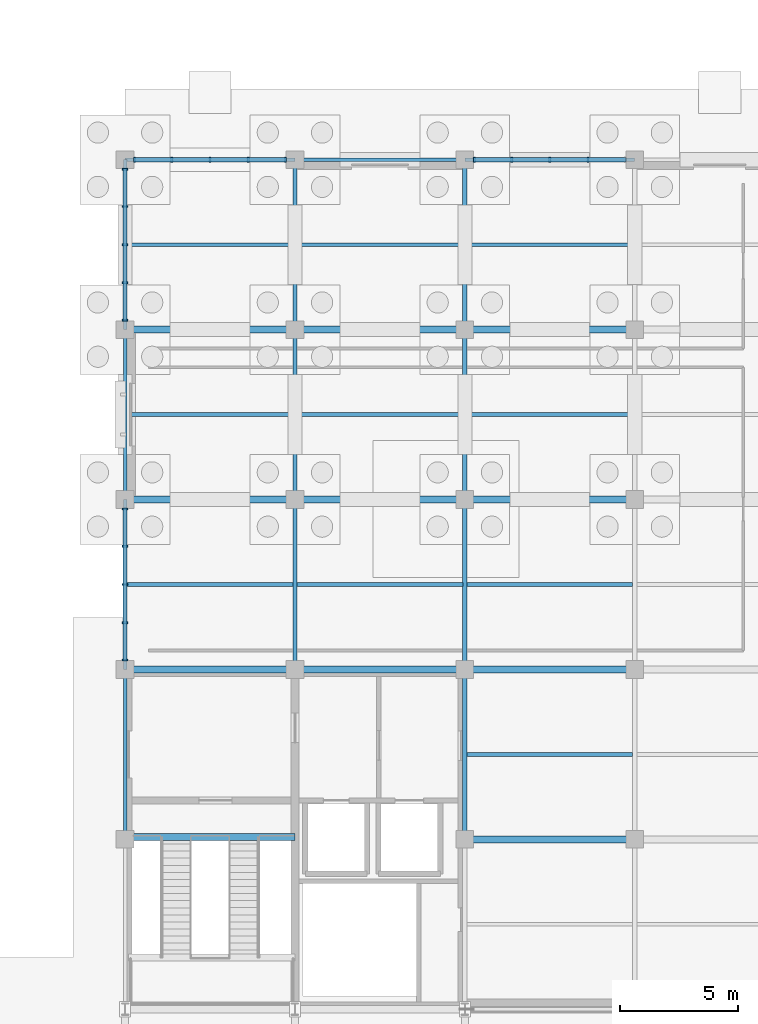
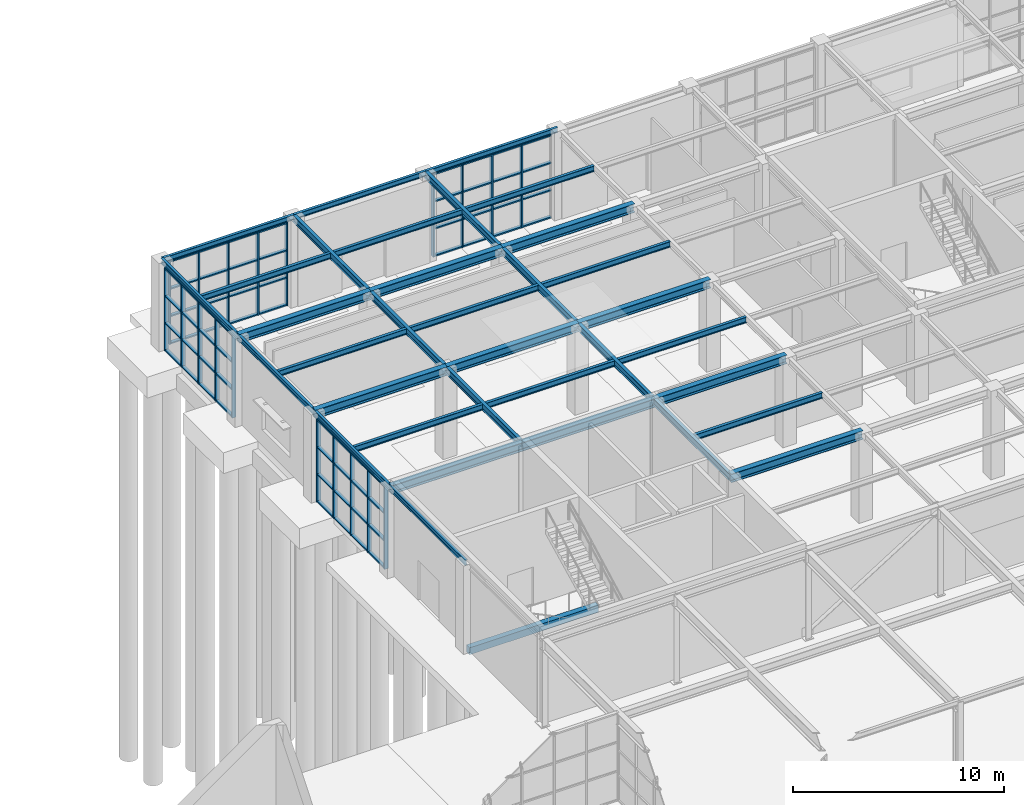
# One storey, part 34 of 75: 35 beams, 35 members, 4 elements without a shape of their own.
"""IFC4 building model written with IfcOpenShell, lengths in metres."""

from ifc_helpers import new_model, si_unit, direction, frame, origin, origin_2d, place, context, subcontext, project, spatial, rectangle, i_section, extrude, material, material_profile, profile_set, type_object, element, aggregate, save


model = new_model("IFC4")

# Units and contexts
model_context = context("Model", 3, precision=1e-05, world=origin(), true_north=direction((0.0, 1.0)))
body_context = subcontext(model_context, "Body", "Model", "MODEL_VIEW")
ifc_project = project(units=[si_unit("LENGTHUNIT", "METRE"), si_unit("AREAUNIT", "SQUARE_METRE"), si_unit("VOLUMEUNIT", "CUBIC_METRE"), si_unit("PLANEANGLEUNIT", "RADIAN"), si_unit("MASSUNIT", "GRAM", prefix="KILO")], contexts=[model_context])

# Site, building, storey
site_placement = place(None, origin())
site = spatial("IfcSite", under=ifc_project, at=site_placement, CompositionType="ELEMENT")
building_placement = place(site_placement, origin())
building = spatial("IfcBuilding", under=site, at=building_placement, Name="Leyfeld Transit Interchange", CompositionType="ELEMENT")
storey_placement = place(building_placement, origin())
storey = spatial("IfcBuildingStorey", under=building, at=storey_placement, Name="L00", CompositionType="ELEMENT", Elevation=0.0)

# Beams
ifc_material_1 = material(Name="Concrete C35/45", Category="concrete")
ifc_material_profile_1 = material_profile(ifc_material_1, rectangle(XDim=0.300048828125, YDim=0.39990234375, at=origin_2d()), Name="RC 400x300")
ifc_profile_set_1 = profile_set([ifc_material_profile_1], Name="Concrete C35/45")
beam_type_1 = type_object("IfcBeamType", Name="BM-RC-400x300", PredefinedType="LINTEL", material=ifc_profile_set_1)
beam_1_placement = place(storey_placement, frame((136.949951171875, 64.89990234375, -0.199951171875), z_axis=(1.0, 0.0, 0.0), x_axis=(0.0, 1.0, 0.0)))
element("IfcBeam", 1, at=beam_1_placement, inside=storey, type_object=beam_type_1, Name="Core K4 Floor Landing Corbel L00", PredefinedType="LINTEL", context=body_context, shape_type="SweptSolid", body=[
    extrude(rectangle(XDim=0.300048828125, YDim=0.39990234375, at=origin_2d()), origin(), (0.0, 0.0, 1.0), 7.050048828125),
])
ifc_material_2 = material(Name="Steel S355J2", Category="steel")
ifc_material_profile_2 = material_profile(ifc_material_2, i_section(OverallWidth=0.300048828125, OverallDepth=0.5, WebThickness=0.014404296875, FlangeThickness=0.028076171875, FilletRadius=0.027099609375, at=origin_2d()), Name="HEB 500")
ifc_profile_set_2 = profile_set([ifc_material_profile_2], Name="Steel S355J2")
beam_type_2 = type_object("IfcBeamType", Name="BM-STL-HEB500", PredefinedType="JOIST", material=ifc_profile_set_2)
for number, where, z_axis, x_axis, name in (
    (2, (151.199951171875, 64.800048828125, 4.85009765625), (1.0, 0.0, 0.0), (0.0, 1.0, 0.0), "Beam BM-L00-1512_0648-1584_0648"),
    (3, (136.800048828125, 72.0, 4.85009765625), (1.0, 0.0, 0.0), (0.0, 1.0, 0.0), "Beam BM-L00-1368_0720-1440_0720"),
    (4, (144.0, 72.0, 4.85009765625), (1.0, 0.0, 0.0), (0.0, 1.0, 0.0), "Beam BM-L00-1440_0720-1512_0720"),
    (5, (151.199951171875, 72.0, 4.85009765625), (1.0, 0.0, 0.0), (0.0, 1.0, 0.0), "Beam BM-L00-1512_0720-1584_0720"),
    (6, (136.800048828125, 79.199951171875, 4.85009765625), (1.0, 0.0, 0.0), (0.0, 1.0, 0.0), "Beam BM-L00-1368_0792-1440_0792"),
    (7, (144.0, 79.199951171875, 4.85009765625), (1.0, 0.0, 0.0), (0.0, 1.0, 0.0), "Beam BM-L00-1440_0792-1512_0792"),
    (8, (151.199951171875, 79.199951171875, 4.85009765625), (1.0, 0.0, 0.0), (0.0, 1.0, 0.0), "Beam BM-L00-1512_0792-1584_0792"),
    (9, (136.800048828125, 86.39990234375, 4.85009765625), (1.0, 0.0, 0.0), (0.0, 1.0, 0.0), "Beam BM-L00-1368_0864-1440_0864"),
    (10, (144.0, 86.39990234375, 4.85009765625), (1.0, 0.0, 0.0), (0.0, 1.0, 0.0), "Beam BM-L00-1440_0864-1512_0864"),
    (11, (151.199951171875, 86.39990234375, 4.85009765625), (1.0, 0.0, 0.0), (0.0, 1.0, 0.0), "Beam BM-L00-1512_0864-1584_0864"),
):
    element("IfcBeam", number, at=place(storey_placement, frame(where, z_axis=z_axis, x_axis=x_axis)), inside=storey, type_object=beam_type_2, Name=name, PredefinedType="JOIST", context=body_context, shape_type="SweptSolid", body=[
        extrude(i_section(OverallWidth=0.300048828125, OverallDepth=0.5, WebThickness=0.014404296875, FlangeThickness=0.028076171875, FilletRadius=0.027099609375, at=origin_2d()), origin(), (0.0, 0.0, 1.0), 7.199951171875),
    ])
ifc_material_profile_3 = material_profile(ifc_material_2, i_section(OverallWidth=0.14990234375, OverallDepth=0.300048828125, WebThickness=0.007080078125, FlangeThickness=0.0107421875, FilletRadius=0.014892578125, at=origin_2d()), Name="IPE 300")
ifc_profile_set_3 = profile_set([ifc_material_profile_3], Name="Steel S355J2")
beam_type_3 = type_object("IfcBeamType", Name="BM-STL-IPE300", PredefinedType="SPANDREL", material=ifc_profile_set_3)
for number, where, z_axis, x_axis, name in (
    (12, (136.800048828125, 64.800048828125, 4.949951171875), (0.0, 1.0, 0.0), (-1.0, 0.0, 0.0), "Beam BM-L00-1368_0648-1368_0720"),
    (13, (136.800048828125, 72.0, 4.949951171875), (0.0, 1.0, 0.0), (-1.0, 0.0, 0.0), "Beam BM-L00-1368_0720-1368_0792"),
    (14, (136.800048828125, 79.199951171875, 4.949951171875), (0.0, 1.0, 0.0), (-1.0, 0.0, 0.0), "Beam BM-L00-1368_0792-1368_0864"),
):
    element("IfcBeam", number, at=place(storey_placement, frame(where, z_axis=z_axis, x_axis=x_axis)), inside=storey, type_object=beam_type_3, Name=name, PredefinedType="SPANDREL", context=body_context, shape_type="SweptSolid", body=[
        extrude(i_section(OverallWidth=0.14990234375, OverallDepth=0.300048828125, WebThickness=0.007080078125, FlangeThickness=0.0107421875, FilletRadius=0.014892578125, at=origin_2d()), origin(), (0.0, 0.0, 1.0), 7.199951171875),
    ])
beam_2_placement = place(storey_placement, frame((136.800048828125, 86.39990234375, 4.949951171875), z_axis=(0.0, 1.0, 0.0), x_axis=(-1.0, 0.0, 0.0)))
element("IfcBeam", 15, at=beam_2_placement, inside=storey, type_object=beam_type_3, Name="Beam BM-L00-1368_0864-1368_0936", PredefinedType="SPANDREL", context=body_context, shape_type="SweptSolid", body=[
    extrude(i_section(OverallWidth=0.14990234375, OverallDepth=0.300048828125, WebThickness=0.007080078125, FlangeThickness=0.0107421875, FilletRadius=0.014892578125, at=origin_2d()), origin(), (0.0, 0.0, 1.0), 7.2001953125),
])
for number, where, z_axis, x_axis, name in (
    (16, (136.800048828125, 93.60009765625, 4.949951171875), (1.0, 0.0, 0.0), (0.0, 1.0, 0.0), "Beam BM-L00-1368_0936-1440_0936"),
    (17, (144.0, 93.60009765625, 4.949951171875), (1.0, 0.0, 0.0), (0.0, 1.0, 0.0), "Beam BM-L00-1440_0936-1512_0936"),
    (18, (151.199951171875, 93.60009765625, 4.949951171875), (1.0, 0.0, 0.0), (0.0, 1.0, 0.0), "Beam BM-L00-1512_0936-1584_0936"),
):
    element("IfcBeam", number, at=place(storey_placement, frame(where, z_axis=z_axis, x_axis=x_axis)), inside=storey, type_object=beam_type_3, Name=name, PredefinedType="SPANDREL", context=body_context, shape_type="SweptSolid", body=[
        extrude(i_section(OverallWidth=0.14990234375, OverallDepth=0.300048828125, WebThickness=0.007080078125, FlangeThickness=0.0107421875, FilletRadius=0.014892578125, at=origin_2d()), origin(), (0.0, 0.0, 1.0), 7.199951171875),
    ])
ifc_material_profile_4 = material_profile(ifc_material_2, i_section(OverallWidth=0.159912109375, OverallDepth=0.330078125, WebThickness=0.007568359375, FlangeThickness=0.011474609375, FilletRadius=0.01806640625, at=origin_2d()), Name="IPE 330")
ifc_profile_set_4 = profile_set([ifc_material_profile_4], Name="Steel S355J2")
beam_type_4 = type_object("IfcBeamType", Name="BM-STL-IPE330", PredefinedType="BEAM", material=ifc_profile_set_4)
beam_3_placement = place(storey_placement, frame((151.287109375, 68.39990234375, 4.93505859375), z_axis=(1.0, 0.0, 0.0), x_axis=(0.0, 1.0, 0.0)))
element("IfcBeam", 19, at=beam_3_placement, inside=storey, type_object=beam_type_4, Name="Beam BM-L00-1513_0684-1583_0684", PredefinedType="BEAM", context=body_context, shape_type="SweptSolid", body=[
    extrude(i_section(OverallWidth=0.159912109375, OverallDepth=0.330078125, WebThickness=0.007568359375, FlangeThickness=0.011474609375, FilletRadius=0.01806640625, at=origin_2d()), origin(), (0.0, 0.0, 1.0), 7.02587890625),
])
beam_4_placement = place(storey_placement, frame((136.8720703125, 75.60009765625, 4.93505859375), z_axis=(1.0, 0.0, 0.0), x_axis=(0.0, 1.0, 0.0)))
element("IfcBeam", 20, at=beam_4_placement, inside=storey, type_object=beam_type_4, Name="Beam BM-L00-1369_0756-1439_0756", PredefinedType="BEAM", context=body_context, shape_type="SweptSolid", body=[
    extrude(i_section(OverallWidth=0.159912109375, OverallDepth=0.330078125, WebThickness=0.007568359375, FlangeThickness=0.011474609375, FilletRadius=0.01806640625, at=origin_2d()), origin(), (0.0, 0.0, 1.0), 7.041015625),
])
beam_5_placement = place(storey_placement, frame((144.0869140625, 75.60009765625, 4.93505859375), z_axis=(1.0, 0.0, 0.0), x_axis=(0.0, 1.0, 0.0)))
element("IfcBeam", 21, at=beam_5_placement, inside=storey, type_object=beam_type_4, Name="Beam BM-L00-1441_0756-1511_0756", PredefinedType="BEAM", context=body_context, shape_type="SweptSolid", body=[
    extrude(i_section(OverallWidth=0.159912109375, OverallDepth=0.330078125, WebThickness=0.007568359375, FlangeThickness=0.011474609375, FilletRadius=0.01806640625, at=origin_2d()), origin(), (0.0, 0.0, 1.0), 7.026123046875),
])
beam_6_placement = place(storey_placement, frame((151.287109375, 75.60009765625, 4.93505859375), z_axis=(1.0, 0.0, 0.0), x_axis=(0.0, 1.0, 0.0)))
element("IfcBeam", 22, at=beam_6_placement, inside=storey, type_object=beam_type_4, Name="Beam BM-L00-1513_0756-1583_0756", PredefinedType="BEAM", context=body_context, shape_type="SweptSolid", body=[
    extrude(i_section(OverallWidth=0.159912109375, OverallDepth=0.330078125, WebThickness=0.007568359375, FlangeThickness=0.011474609375, FilletRadius=0.01806640625, at=origin_2d()), origin(), (0.0, 0.0, 1.0), 7.02587890625),
])
beam_7_placement = place(storey_placement, frame((136.8720703125, 82.800048828125, 4.93505859375), z_axis=(1.0, 0.0, 0.0), x_axis=(0.0, 1.0, 0.0)))
element("IfcBeam", 23, at=beam_7_placement, inside=storey, type_object=beam_type_4, Name="Beam BM-L00-1369_0828-1439_0828", PredefinedType="BEAM", context=body_context, shape_type="SweptSolid", body=[
    extrude(i_section(OverallWidth=0.159912109375, OverallDepth=0.330078125, WebThickness=0.007568359375, FlangeThickness=0.011474609375, FilletRadius=0.01806640625, at=origin_2d()), origin(), (0.0, 0.0, 1.0), 7.041015625),
])
beam_8_placement = place(storey_placement, frame((144.0869140625, 82.800048828125, 4.93505859375), z_axis=(1.0, 0.0, 0.0), x_axis=(0.0, 1.0, 0.0)))
element("IfcBeam", 24, at=beam_8_placement, inside=storey, type_object=beam_type_4, Name="Beam BM-L00-1441_0828-1511_0828", PredefinedType="BEAM", context=body_context, shape_type="SweptSolid", body=[
    extrude(i_section(OverallWidth=0.159912109375, OverallDepth=0.330078125, WebThickness=0.007568359375, FlangeThickness=0.011474609375, FilletRadius=0.01806640625, at=origin_2d()), origin(), (0.0, 0.0, 1.0), 7.026123046875),
])
beam_9_placement = place(storey_placement, frame((151.287109375, 82.800048828125, 4.93505859375), z_axis=(1.0, 0.0, 0.0), x_axis=(0.0, 1.0, 0.0)))
element("IfcBeam", 25, at=beam_9_placement, inside=storey, type_object=beam_type_4, Name="Beam BM-L00-1513_0828-1583_0828", PredefinedType="BEAM", context=body_context, shape_type="SweptSolid", body=[
    extrude(i_section(OverallWidth=0.159912109375, OverallDepth=0.330078125, WebThickness=0.007568359375, FlangeThickness=0.011474609375, FilletRadius=0.01806640625, at=origin_2d()), origin(), (0.0, 0.0, 1.0), 7.02587890625),
])
beam_10_placement = place(storey_placement, frame((136.8720703125, 90.0, 4.93505859375), z_axis=(1.0, 0.0, 0.0), x_axis=(0.0, 1.0, 0.0)))
element("IfcBeam", 26, at=beam_10_placement, inside=storey, type_object=beam_type_4, Name="Beam BM-L00-1369_0900-1439_0900", PredefinedType="BEAM", context=body_context, shape_type="SweptSolid", body=[
    extrude(i_section(OverallWidth=0.159912109375, OverallDepth=0.330078125, WebThickness=0.007568359375, FlangeThickness=0.011474609375, FilletRadius=0.01806640625, at=origin_2d()), origin(), (0.0, 0.0, 1.0), 7.041015625),
])
beam_11_placement = place(storey_placement, frame((144.0869140625, 90.0, 4.93505859375), z_axis=(1.0, 0.0, 0.0), x_axis=(0.0, 1.0, 0.0)))
element("IfcBeam", 27, at=beam_11_placement, inside=storey, type_object=beam_type_4, Name="Beam BM-L00-1441_0900-1511_0900", PredefinedType="BEAM", context=body_context, shape_type="SweptSolid", body=[
    extrude(i_section(OverallWidth=0.159912109375, OverallDepth=0.330078125, WebThickness=0.007568359375, FlangeThickness=0.011474609375, FilletRadius=0.01806640625, at=origin_2d()), origin(), (0.0, 0.0, 1.0), 7.026123046875),
])
beam_12_placement = place(storey_placement, frame((151.287109375, 90.0, 4.93505859375), z_axis=(1.0, 0.0, 0.0), x_axis=(0.0, 1.0, 0.0)))
element("IfcBeam", 28, at=beam_12_placement, inside=storey, type_object=beam_type_4, Name="Beam BM-L00-1513_0900-1583_0900", PredefinedType="BEAM", context=body_context, shape_type="SweptSolid", body=[
    extrude(i_section(OverallWidth=0.159912109375, OverallDepth=0.330078125, WebThickness=0.007568359375, FlangeThickness=0.011474609375, FilletRadius=0.01806640625, at=origin_2d()), origin(), (0.0, 0.0, 1.0), 7.02587890625),
])
ifc_material_profile_5 = material_profile(ifc_material_2, i_section(OverallWidth=0.179931640625, OverallDepth=0.39990234375, WebThickness=0.008544921875, FlangeThickness=0.013427734375, FilletRadius=0.02099609375, at=origin_2d()), Name="IPE 400")
ifc_profile_set_5 = profile_set([ifc_material_profile_5], Name="Steel S355J2")
beam_type_5 = type_object("IfcBeamType", Name="BM-STL-IPE400", PredefinedType="BEAM", material=ifc_profile_set_5)
for number, where, z_axis, x_axis, name in (
    (29, (144.0, 72.0, 4.89990234375), (0.0, 1.0, 0.0), (-1.0, 0.0, 0.0), "Beam BM-L00-1440_0720-1440_0792"),
    (30, (144.0, 79.199951171875, 4.89990234375), (0.0, 1.0, 0.0), (-1.0, 0.0, 0.0), "Beam BM-L00-1440_0792-1440_0864"),
):
    element("IfcBeam", number, at=place(storey_placement, frame(where, z_axis=z_axis, x_axis=x_axis)), inside=storey, type_object=beam_type_5, Name=name, PredefinedType="BEAM", context=body_context, shape_type="SweptSolid", body=[
        extrude(i_section(OverallWidth=0.179931640625, OverallDepth=0.39990234375, WebThickness=0.008544921875, FlangeThickness=0.013427734375, FilletRadius=0.02099609375, at=origin_2d()), origin(), (0.0, 0.0, 1.0), 7.199951171875),
    ])
beam_13_placement = place(storey_placement, frame((144.0, 86.39990234375, 4.89990234375), z_axis=(0.0, 1.0, 0.0), x_axis=(-1.0, 0.0, 0.0)))
element("IfcBeam", 31, at=beam_13_placement, inside=storey, type_object=beam_type_5, Name="Beam BM-L00-1440_0864-1440_0936", PredefinedType="BEAM", context=body_context, shape_type="SweptSolid", body=[
    extrude(i_section(OverallWidth=0.179931640625, OverallDepth=0.39990234375, WebThickness=0.008544921875, FlangeThickness=0.013427734375, FilletRadius=0.02099609375, at=origin_2d()), origin(), (0.0, 0.0, 1.0), 7.2001953125),
])
for number, where, z_axis, x_axis, name in (
    (32, (151.199951171875, 64.800048828125, 4.89990234375), (0.0, 1.0, 0.0), (-1.0, 0.0, 0.0), "Beam BM-L00-1512_0648-1512_0720"),
    (33, (151.199951171875, 72.0, 4.89990234375), (0.0, 1.0, 0.0), (-1.0, 0.0, 0.0), "Beam BM-L00-1512_0720-1512_0792"),
    (34, (151.199951171875, 79.199951171875, 4.89990234375), (0.0, 1.0, 0.0), (-1.0, 0.0, 0.0), "Beam BM-L00-1512_0792-1512_0864"),
):
    element("IfcBeam", number, at=place(storey_placement, frame(where, z_axis=z_axis, x_axis=x_axis)), inside=storey, type_object=beam_type_5, Name=name, PredefinedType="BEAM", context=body_context, shape_type="SweptSolid", body=[
        extrude(i_section(OverallWidth=0.179931640625, OverallDepth=0.39990234375, WebThickness=0.008544921875, FlangeThickness=0.013427734375, FilletRadius=0.02099609375, at=origin_2d()), origin(), (0.0, 0.0, 1.0), 7.199951171875),
    ])
beam_14_placement = place(storey_placement, frame((151.199951171875, 86.39990234375, 4.89990234375), z_axis=(0.0, 1.0, 0.0), x_axis=(-1.0, 0.0, 0.0)))
element("IfcBeam", 35, at=beam_14_placement, inside=storey, type_object=beam_type_5, Name="Beam BM-L00-1512_0864-1512_0936", PredefinedType="BEAM", context=body_context, shape_type="SweptSolid", body=[
    extrude(i_section(OverallWidth=0.179931640625, OverallDepth=0.39990234375, WebThickness=0.008544921875, FlangeThickness=0.013427734375, FilletRadius=0.02099609375, at=origin_2d()), origin(), (0.0, 0.0, 1.0), 7.2001953125),
])

# Curtain wall, members
ifc_material_3 = material(Name="Anodised aluminium EN AW-6060 T66", Category="aluminium")
curtain_wall_type = type_object("IfcCurtainWallType", Name="CW-SYS-BUS-7200", PredefinedType="NOTDEFINED", material=ifc_material_3)
curtain_wall_1_placement = place(storey_placement, origin())
curtain_wall_1 = element("IfcCurtainWall", 36, at=curtain_wall_1_placement, inside=storey, type_object=curtain_wall_type, Name="Curtain Wall CW-L00-040", PredefinedType="NOTDEFINED")
ifc_material_profile_6 = material_profile(ifc_material_3, rectangle(XDim=0.074951171875, YDim=0.219970703125, at=origin_2d()), Name="CW-M 75x220")
ifc_profile_set_6 = profile_set([ifc_material_profile_6], Name="Anodised aluminium EN AW-6060 T66")
member_type_1 = type_object("IfcMemberType", Name="CW-MUL-180x70", PredefinedType="MULLION", material=ifc_profile_set_6)
member_1_placement = place(storey_placement, frame((137.202392578125, 93.60009765625, 0.0), z_axis=(0.0, 0.0, 1.0), x_axis=(1.0, 0.0, 0.0)))
member_1 = element("IfcMember", 37, at=member_1_placement, type_object=member_type_1, Name="Curtain Mullion CW-L00-040-M01", PredefinedType="MULLION", context=body_context, shape_type="SweptSolid", body=[
    extrude(rectangle(XDim=0.074951171875, YDim=0.219970703125, at=origin_2d()), origin(), (0.0, 0.0, 1.0), 4.800048828125),
])
member_2_placement = place(storey_placement, frame((138.782470703125, 93.60009765625, 0.0), z_axis=(0.0, 0.0, 1.0), x_axis=(1.0, 0.0, 0.0)))
member_2 = element("IfcMember", 38, at=member_2_placement, type_object=member_type_1, Name="Curtain Mullion CW-L00-040-M02", PredefinedType="MULLION", context=body_context, shape_type="SweptSolid", body=[
    extrude(rectangle(XDim=0.074951171875, YDim=0.219970703125, at=origin_2d()), origin(), (0.0, 0.0, 1.0), 4.800048828125),
])
member_3_placement = place(storey_placement, frame((140.39990234375, 93.60009765625, 0.0), z_axis=(0.0, 0.0, 1.0), x_axis=(1.0, 0.0, 0.0)))
member_3 = element("IfcMember", 39, at=member_3_placement, type_object=member_type_1, Name="Curtain Mullion CW-L00-040-M03", PredefinedType="MULLION", context=body_context, shape_type="SweptSolid", body=[
    extrude(rectangle(XDim=0.074951171875, YDim=0.219970703125, at=origin_2d()), origin(), (0.0, 0.0, 1.0), 4.800048828125),
])
member_4_placement = place(storey_placement, frame((142.017578125, 93.60009765625, 0.0), z_axis=(0.0, 0.0, 1.0), x_axis=(1.0, 0.0, 0.0)))
member_4 = element("IfcMember", 40, at=member_4_placement, type_object=member_type_1, Name="Curtain Mullion CW-L00-040-M04", PredefinedType="MULLION", context=body_context, shape_type="SweptSolid", body=[
    extrude(rectangle(XDim=0.074951171875, YDim=0.219970703125, at=origin_2d()), origin(), (0.0, 0.0, 1.0), 4.800048828125),
])
member_5_placement = place(storey_placement, frame((143.597412109375, 93.60009765625, 0.0), z_axis=(0.0, 0.0, 1.0), x_axis=(1.0, 0.0, 0.0)))
member_5 = element("IfcMember", 41, at=member_5_placement, type_object=member_type_1, Name="Curtain Mullion CW-L00-040-M05", PredefinedType="MULLION", context=body_context, shape_type="SweptSolid", body=[
    extrude(rectangle(XDim=0.074951171875, YDim=0.219970703125, at=origin_2d()), origin(), (0.0, 0.0, 1.0), 4.800048828125),
])

curtain_wall_2_placement = place(storey_placement, origin())
curtain_wall_2 = element("IfcCurtainWall", 42, at=curtain_wall_2_placement, inside=storey, type_object=curtain_wall_type, Name="Curtain Wall CW-L00-041", PredefinedType="NOTDEFINED")
member_6_placement = place(storey_placement, frame((151.6025390625, 93.60009765625, 0.0), z_axis=(0.0, 0.0, 1.0), x_axis=(1.0, 0.0, 0.0)))
member_6 = element("IfcMember", 43, at=member_6_placement, type_object=member_type_1, Name="Curtain Mullion CW-L00-041-M01", PredefinedType="MULLION", context=body_context, shape_type="SweptSolid", body=[
    extrude(rectangle(XDim=0.074951171875, YDim=0.219970703125, at=origin_2d()), origin(), (0.0, 0.0, 1.0), 4.800048828125),
])
member_7_placement = place(storey_placement, frame((153.1826171875, 93.60009765625, 0.0), z_axis=(0.0, 0.0, 1.0), x_axis=(1.0, 0.0, 0.0)))
member_7 = element("IfcMember", 44, at=member_7_placement, type_object=member_type_1, Name="Curtain Mullion CW-L00-041-M02", PredefinedType="MULLION", context=body_context, shape_type="SweptSolid", body=[
    extrude(rectangle(XDim=0.074951171875, YDim=0.219970703125, at=origin_2d()), origin(), (0.0, 0.0, 1.0), 4.800048828125),
])
member_8_placement = place(storey_placement, frame((154.800048828125, 93.60009765625, 0.0), z_axis=(0.0, 0.0, 1.0), x_axis=(1.0, 0.0, 0.0)))
member_8 = element("IfcMember", 45, at=member_8_placement, type_object=member_type_1, Name="Curtain Mullion CW-L00-041-M03", PredefinedType="MULLION", context=body_context, shape_type="SweptSolid", body=[
    extrude(rectangle(XDim=0.074951171875, YDim=0.219970703125, at=origin_2d()), origin(), (0.0, 0.0, 1.0), 4.800048828125),
])
member_9_placement = place(storey_placement, frame((156.41748046875, 93.60009765625, 0.0), z_axis=(0.0, 0.0, 1.0), x_axis=(1.0, 0.0, 0.0)))
member_9 = element("IfcMember", 46, at=member_9_placement, type_object=member_type_1, Name="Curtain Mullion CW-L00-041-M04", PredefinedType="MULLION", context=body_context, shape_type="SweptSolid", body=[
    extrude(rectangle(XDim=0.074951171875, YDim=0.219970703125, at=origin_2d()), origin(), (0.0, 0.0, 1.0), 4.800048828125),
])

curtain_wall_3_placement = place(storey_placement, origin())
curtain_wall_3 = element("IfcCurtainWall", 47, at=curtain_wall_3_placement, inside=storey, type_object=curtain_wall_type, Name="Curtain Wall CW-L00-049", PredefinedType="NOTDEFINED")
member_10_placement = place(storey_placement, frame((136.800048828125, 72.402587890625, 0.0), z_axis=(0.0, 0.0, 1.0), x_axis=(0.0, 1.0, 0.0)))
member_10 = element("IfcMember", 48, at=member_10_placement, type_object=member_type_1, Name="Curtain Mullion CW-L00-049-M01", PredefinedType="MULLION", context=body_context, shape_type="SweptSolid", body=[
    extrude(rectangle(XDim=0.074951171875, YDim=0.219970703125, at=origin_2d()), origin(), (0.0, 0.0, 1.0), 4.77001953125),
])
member_11_placement = place(storey_placement, frame((136.800048828125, 73.982421875, 0.0), z_axis=(0.0, 0.0, 1.0), x_axis=(0.0, 1.0, 0.0)))
member_11 = element("IfcMember", 49, at=member_11_placement, type_object=member_type_1, Name="Curtain Mullion CW-L00-049-M02", PredefinedType="MULLION", context=body_context, shape_type="SweptSolid", body=[
    extrude(rectangle(XDim=0.074951171875, YDim=0.219970703125, at=origin_2d()), origin(), (0.0, 0.0, 1.0), 4.77001953125),
])
member_12_placement = place(storey_placement, frame((136.800048828125, 75.60009765625, 0.0), z_axis=(0.0, 0.0, 1.0), x_axis=(0.0, 1.0, 0.0)))
member_12 = element("IfcMember", 50, at=member_12_placement, type_object=member_type_1, Name="Curtain Mullion CW-L00-049-M03", PredefinedType="MULLION", context=body_context, shape_type="SweptSolid", body=[
    extrude(rectangle(XDim=0.074951171875, YDim=0.219970703125, at=origin_2d()), origin(), (0.0, 0.0, 1.0), 4.77001953125),
])
member_13_placement = place(storey_placement, frame((136.800048828125, 77.217529296875, 0.0), z_axis=(0.0, 0.0, 1.0), x_axis=(0.0, 1.0, 0.0)))
member_13 = element("IfcMember", 51, at=member_13_placement, type_object=member_type_1, Name="Curtain Mullion CW-L00-049-M04", PredefinedType="MULLION", context=body_context, shape_type="SweptSolid", body=[
    extrude(rectangle(XDim=0.074951171875, YDim=0.219970703125, at=origin_2d()), origin(), (0.0, 0.0, 1.0), 4.77001953125),
])
member_14_placement = place(storey_placement, frame((136.800048828125, 78.797607421875, 0.0), z_axis=(0.0, 0.0, 1.0), x_axis=(0.0, 1.0, 0.0)))
member_14 = element("IfcMember", 52, at=member_14_placement, type_object=member_type_1, Name="Curtain Mullion CW-L00-049-M05", PredefinedType="MULLION", context=body_context, shape_type="SweptSolid", body=[
    extrude(rectangle(XDim=0.074951171875, YDim=0.219970703125, at=origin_2d()), origin(), (0.0, 0.0, 1.0), 4.77001953125),
])

curtain_wall_4_placement = place(storey_placement, origin())
curtain_wall_4 = element("IfcCurtainWall", 53, at=curtain_wall_4_placement, inside=storey, type_object=curtain_wall_type, Name="Curtain Wall CW-L00-050", PredefinedType="NOTDEFINED")
member_15_placement = place(storey_placement, frame((136.800048828125, 86.802490234375, 0.0), z_axis=(0.0, 0.0, 1.0), x_axis=(0.0, 1.0, 0.0)))
member_15 = element("IfcMember", 54, at=member_15_placement, type_object=member_type_1, Name="Curtain Mullion CW-L00-050-M01", PredefinedType="MULLION", context=body_context, shape_type="SweptSolid", body=[
    extrude(rectangle(XDim=0.074951171875, YDim=0.219970703125, at=origin_2d()), origin(), (0.0, 0.0, 1.0), 4.77001953125),
])
member_16_placement = place(storey_placement, frame((136.800048828125, 88.382568359375, 0.0), z_axis=(0.0, 0.0, 1.0), x_axis=(0.0, 1.0, 0.0)))
member_16 = element("IfcMember", 55, at=member_16_placement, type_object=member_type_1, Name="Curtain Mullion CW-L00-050-M02", PredefinedType="MULLION", context=body_context, shape_type="SweptSolid", body=[
    extrude(rectangle(XDim=0.074951171875, YDim=0.219970703125, at=origin_2d()), origin(), (0.0, 0.0, 1.0), 4.77001953125),
])
member_17_placement = place(storey_placement, frame((136.800048828125, 90.0, 0.0), z_axis=(0.0, 0.0, 1.0), x_axis=(0.0, 1.0, 0.0)))
member_17 = element("IfcMember", 56, at=member_17_placement, type_object=member_type_1, Name="Curtain Mullion CW-L00-050-M03", PredefinedType="MULLION", context=body_context, shape_type="SweptSolid", body=[
    extrude(rectangle(XDim=0.074951171875, YDim=0.219970703125, at=origin_2d()), origin(), (0.0, 0.0, 1.0), 4.77001953125),
])
member_18_placement = place(storey_placement, frame((136.800048828125, 91.617431640625, 0.0), z_axis=(0.0, 0.0, 1.0), x_axis=(0.0, 1.0, 0.0)))
member_18 = element("IfcMember", 57, at=member_18_placement, type_object=member_type_1, Name="Curtain Mullion CW-L00-050-M04", PredefinedType="MULLION", context=body_context, shape_type="SweptSolid", body=[
    extrude(rectangle(XDim=0.074951171875, YDim=0.219970703125, at=origin_2d()), origin(), (0.0, 0.0, 1.0), 4.77001953125),
])
member_19_placement = place(storey_placement, frame((136.800048828125, 93.197509765625, 0.0), z_axis=(0.0, 0.0, 1.0), x_axis=(0.0, 1.0, 0.0)))
member_19 = element("IfcMember", 58, at=member_19_placement, type_object=member_type_1, Name="Curtain Mullion CW-L00-050-M05", PredefinedType="MULLION", context=body_context, shape_type="SweptSolid", body=[
    extrude(rectangle(XDim=0.074951171875, YDim=0.219970703125, at=origin_2d()), origin(), (0.0, 0.0, 1.0), 4.77001953125),
])

# Member
ifc_material_profile_7 = material_profile(ifc_material_3, rectangle(XDim=0.179931640625, YDim=0.074951171875, at=origin_2d()), Name="CW-TRN-160x70")
ifc_profile_set_7 = profile_set([ifc_material_profile_7], Name="Anodised aluminium EN AW-6060 T66")
member_type_2 = type_object("IfcMemberType", Name="CW-TRN-160x70", PredefinedType="USERDEFINED", material=ifc_profile_set_7)
member_20_placement = place(storey_placement, frame((137.1650390625, 93.60009765625, 0.03759765625), z_axis=(1.0, 0.0, 0.0), x_axis=(0.0, 1.0, 0.0)))
member_20 = element("IfcMember", 59, at=member_20_placement, type_object=member_type_2, Name="Curtain Transom CW-L00-040-T01", ObjectType="TRANSOM", PredefinedType="USERDEFINED", context=body_context, shape_type="SweptSolid", body=[
    extrude(rectangle(XDim=0.179931640625, YDim=0.074951171875, at=origin_2d()), origin(), (0.0, 0.0, 1.0), 6.469970703125),
])

member_21_placement = place(storey_placement, frame((137.1650390625, 93.60009765625, 1.612548828125), z_axis=(1.0, 0.0, 0.0), x_axis=(0.0, 1.0, 0.0)))
member_21 = element("IfcMember", 60, at=member_21_placement, type_object=member_type_2, Name="Curtain Transom CW-L00-040-T02", ObjectType="TRANSOM", PredefinedType="USERDEFINED", context=body_context, shape_type="SweptSolid", body=[
    extrude(rectangle(XDim=0.179931640625, YDim=0.074951171875, at=origin_2d()), origin(), (0.0, 0.0, 1.0), 6.469970703125),
])

member_22_placement = place(storey_placement, frame((137.1650390625, 93.60009765625, 3.1875), z_axis=(1.0, 0.0, 0.0), x_axis=(0.0, 1.0, 0.0)))
member_22 = element("IfcMember", 61, at=member_22_placement, type_object=member_type_2, Name="Curtain Transom CW-L00-040-T03", ObjectType="TRANSOM", PredefinedType="USERDEFINED", context=body_context, shape_type="SweptSolid", body=[
    extrude(rectangle(XDim=0.179931640625, YDim=0.074951171875, at=origin_2d()), origin(), (0.0, 0.0, 1.0), 6.469970703125),
])

member_23_placement = place(storey_placement, frame((137.1650390625, 93.60009765625, 4.762451171875), z_axis=(1.0, 0.0, 0.0), x_axis=(0.0, 1.0, 0.0)))
member_23 = element("IfcMember", 62, at=member_23_placement, type_object=member_type_2, Name="Curtain Transom CW-L00-040-T04", ObjectType="TRANSOM", PredefinedType="USERDEFINED", context=body_context, shape_type="SweptSolid", body=[
    extrude(rectangle(XDim=0.179931640625, YDim=0.074951171875, at=origin_2d()), origin(), (0.0, 0.0, 1.0), 6.469970703125),
])

aggregate(curtain_wall_1, [member_1, member_2, member_3, member_4, member_5, member_20, member_21, member_22, member_23])

member_24_placement = place(storey_placement, frame((151.56494140625, 93.60009765625, 0.03759765625), z_axis=(1.0, 0.0, 0.0), x_axis=(0.0, 1.0, 0.0)))
member_24 = element("IfcMember", 63, at=member_24_placement, type_object=member_type_2, Name="Curtain Transom CW-L00-041-T01", ObjectType="TRANSOM", PredefinedType="USERDEFINED", context=body_context, shape_type="SweptSolid", body=[
    extrude(rectangle(XDim=0.179931640625, YDim=0.074951171875, at=origin_2d()), origin(), (0.0, 0.0, 1.0), 6.469970703125),
])

member_25_placement = place(storey_placement, frame((151.56494140625, 93.60009765625, 1.612548828125), z_axis=(1.0, 0.0, 0.0), x_axis=(0.0, 1.0, 0.0)))
member_25 = element("IfcMember", 64, at=member_25_placement, type_object=member_type_2, Name="Curtain Transom CW-L00-041-T02", ObjectType="TRANSOM", PredefinedType="USERDEFINED", context=body_context, shape_type="SweptSolid", body=[
    extrude(rectangle(XDim=0.179931640625, YDim=0.074951171875, at=origin_2d()), origin(), (0.0, 0.0, 1.0), 6.469970703125),
])

member_26_placement = place(storey_placement, frame((151.56494140625, 93.60009765625, 3.1875), z_axis=(1.0, 0.0, 0.0), x_axis=(0.0, 1.0, 0.0)))
member_26 = element("IfcMember", 65, at=member_26_placement, type_object=member_type_2, Name="Curtain Transom CW-L00-041-T03", ObjectType="TRANSOM", PredefinedType="USERDEFINED", context=body_context, shape_type="SweptSolid", body=[
    extrude(rectangle(XDim=0.179931640625, YDim=0.074951171875, at=origin_2d()), origin(), (0.0, 0.0, 1.0), 6.469970703125),
])

member_27_placement = place(storey_placement, frame((151.56494140625, 93.60009765625, 4.762451171875), z_axis=(1.0, 0.0, 0.0), x_axis=(0.0, 1.0, 0.0)))
member_27 = element("IfcMember", 66, at=member_27_placement, type_object=member_type_2, Name="Curtain Transom CW-L00-041-T04", ObjectType="TRANSOM", PredefinedType="USERDEFINED", context=body_context, shape_type="SweptSolid", body=[
    extrude(rectangle(XDim=0.179931640625, YDim=0.074951171875, at=origin_2d()), origin(), (0.0, 0.0, 1.0), 6.469970703125),
])

aggregate(curtain_wall_2, [member_6, member_7, member_8, member_9, member_24, member_25, member_26, member_27])

member_28_placement = place(storey_placement, frame((136.800048828125, 72.364990234375, 0.03759765625), z_axis=(0.0, 1.0, 0.0), x_axis=(-1.0, 0.0, 0.0)))
member_28 = element("IfcMember", 67, at=member_28_placement, type_object=member_type_2, Name="Curtain Transom CW-L00-049-T01", ObjectType="TRANSOM", PredefinedType="USERDEFINED", context=body_context, shape_type="SweptSolid", body=[
    extrude(rectangle(XDim=0.179931640625, YDim=0.074951171875, at=origin_2d()), origin(), (0.0, 0.0, 1.0), 6.469970703125),
])

member_29_placement = place(storey_placement, frame((136.800048828125, 72.364990234375, 1.6025390625), z_axis=(0.0, 1.0, 0.0), x_axis=(-1.0, 0.0, 0.0)))
member_29 = element("IfcMember", 68, at=member_29_placement, type_object=member_type_2, Name="Curtain Transom CW-L00-049-T02", ObjectType="TRANSOM", PredefinedType="USERDEFINED", context=body_context, shape_type="SweptSolid", body=[
    extrude(rectangle(XDim=0.179931640625, YDim=0.074951171875, at=origin_2d()), origin(), (0.0, 0.0, 1.0), 6.469970703125),
])

member_30_placement = place(storey_placement, frame((136.800048828125, 72.364990234375, 3.16748046875), z_axis=(0.0, 1.0, 0.0), x_axis=(-1.0, 0.0, 0.0)))
member_30 = element("IfcMember", 69, at=member_30_placement, type_object=member_type_2, Name="Curtain Transom CW-L00-049-T03", ObjectType="TRANSOM", PredefinedType="USERDEFINED", context=body_context, shape_type="SweptSolid", body=[
    extrude(rectangle(XDim=0.179931640625, YDim=0.074951171875, at=origin_2d()), origin(), (0.0, 0.0, 1.0), 6.469970703125),
])

member_31_placement = place(storey_placement, frame((136.800048828125, 72.364990234375, 4.732421875), z_axis=(0.0, 1.0, 0.0), x_axis=(-1.0, 0.0, 0.0)))
member_31 = element("IfcMember", 70, at=member_31_placement, type_object=member_type_2, Name="Curtain Transom CW-L00-049-T04", ObjectType="TRANSOM", PredefinedType="USERDEFINED", context=body_context, shape_type="SweptSolid", body=[
    extrude(rectangle(XDim=0.179931640625, YDim=0.074951171875, at=origin_2d()), origin(), (0.0, 0.0, 1.0), 6.469970703125),
])

aggregate(curtain_wall_3, [member_10, member_11, member_12, member_13, member_14, member_28, member_29, member_30, member_31])

member_32_placement = place(storey_placement, frame((136.800048828125, 86.764892578125, 0.03759765625), z_axis=(0.0, 1.0, 0.0), x_axis=(-1.0, 0.0, 0.0)))
member_32 = element("IfcMember", 71, at=member_32_placement, type_object=member_type_2, Name="Curtain Transom CW-L00-050-T01", ObjectType="TRANSOM", PredefinedType="USERDEFINED", context=body_context, shape_type="SweptSolid", body=[
    extrude(rectangle(XDim=0.179931640625, YDim=0.074951171875, at=origin_2d()), origin(), (0.0, 0.0, 1.0), 6.47021484375),
])

member_33_placement = place(storey_placement, frame((136.800048828125, 86.764892578125, 1.6025390625), z_axis=(0.0, 1.0, 0.0), x_axis=(-1.0, 0.0, 0.0)))
member_33 = element("IfcMember", 72, at=member_33_placement, type_object=member_type_2, Name="Curtain Transom CW-L00-050-T02", ObjectType="TRANSOM", PredefinedType="USERDEFINED", context=body_context, shape_type="SweptSolid", body=[
    extrude(rectangle(XDim=0.179931640625, YDim=0.074951171875, at=origin_2d()), origin(), (0.0, 0.0, 1.0), 6.47021484375),
])

member_34_placement = place(storey_placement, frame((136.800048828125, 86.764892578125, 3.16748046875), z_axis=(0.0, 1.0, 0.0), x_axis=(-1.0, 0.0, 0.0)))
member_34 = element("IfcMember", 73, at=member_34_placement, type_object=member_type_2, Name="Curtain Transom CW-L00-050-T03", ObjectType="TRANSOM", PredefinedType="USERDEFINED", context=body_context, shape_type="SweptSolid", body=[
    extrude(rectangle(XDim=0.179931640625, YDim=0.074951171875, at=origin_2d()), origin(), (0.0, 0.0, 1.0), 6.47021484375),
])

member_35_placement = place(storey_placement, frame((136.800048828125, 86.764892578125, 4.732421875), z_axis=(0.0, 1.0, 0.0), x_axis=(-1.0, 0.0, 0.0)))
member_35 = element("IfcMember", 74, at=member_35_placement, type_object=member_type_2, Name="Curtain Transom CW-L00-050-T04", ObjectType="TRANSOM", PredefinedType="USERDEFINED", context=body_context, shape_type="SweptSolid", body=[
    extrude(rectangle(XDim=0.179931640625, YDim=0.074951171875, at=origin_2d()), origin(), (0.0, 0.0, 1.0), 6.47021484375),
])

aggregate(curtain_wall_4, [member_15, member_16, member_17, member_18, member_19, member_32, member_33, member_34, member_35])

save(model, "model.ifc")
